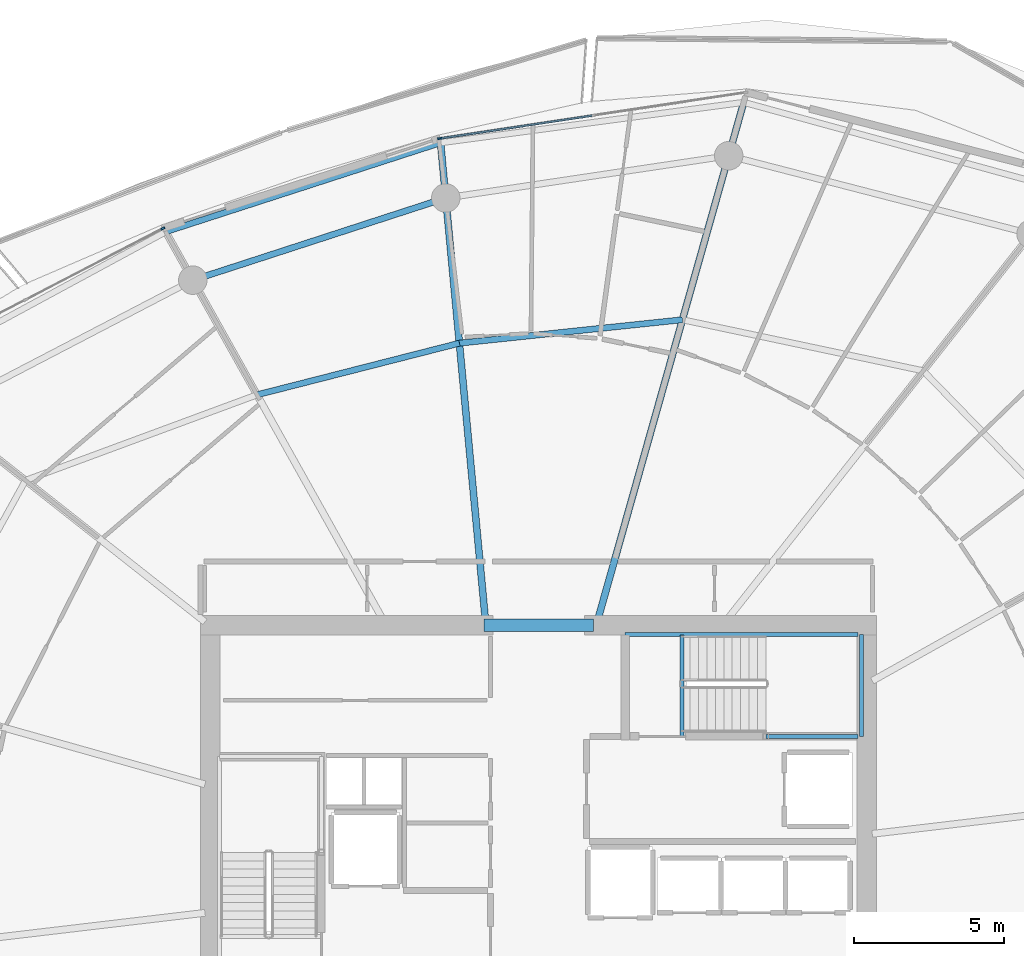
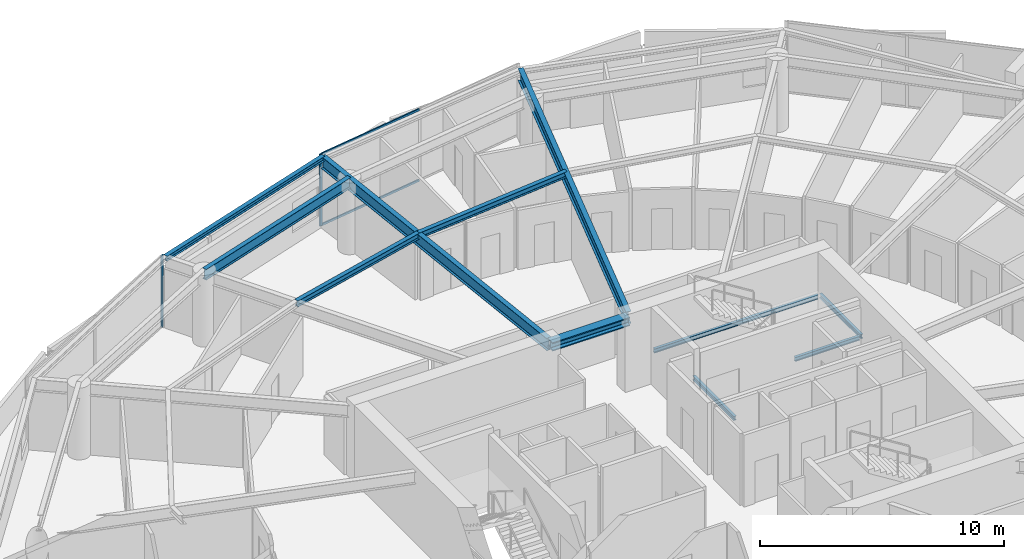
# One storey, part 13 of 31: 11 beams, 4 members, 2 elements without a shape of their own.
"""IFC4 building model written with IfcOpenShell, lengths in metres."""

from ifc_helpers import new_model, si_unit, direction, frame, origin, origin_2d, place, context, subcontext, project, spatial, rectangle, i_section, extrude, material, layer, layer_set, material_profile, profile_set, type_object, element, aggregate, save


model = new_model("IFC4")

# Units and contexts
model_context = context("Model", 3, precision=1e-05, world=origin(), true_north=direction((0.0, 1.0)))
body_context = subcontext(model_context, "Body", "Model", "MODEL_VIEW")
ifc_project = project(units=[si_unit("LENGTHUNIT", "METRE"), si_unit("AREAUNIT", "SQUARE_METRE"), si_unit("VOLUMEUNIT", "CUBIC_METRE"), si_unit("PLANEANGLEUNIT", "RADIAN"), si_unit("MASSUNIT", "GRAM", prefix="KILO")], contexts=[model_context])

# Site, building, storey
site_placement = place(None, origin())
site = spatial("IfcSite", under=ifc_project, at=site_placement, CompositionType="ELEMENT")
building_placement = place(site_placement, origin())
building = spatial("IfcBuilding", under=site, at=building_placement, Name="Kazma Halo Residences", CompositionType="ELEMENT")
storey_placement = place(building_placement, frame((0.0, 0.0, 259.800048828125)))
storey = spatial("IfcBuildingStorey", under=building, at=storey_placement, Name="L65", CompositionType="ELEMENT", Elevation=259.800048828125)

# Beams
ifc_material_1 = material(Name="Steel S355", Category="steel")
ifc_material_profile_1 = material_profile(ifc_material_1, i_section(OverallWidth=0.201904296875, OverallDepth=0.2470703125, WebThickness=0.00732421875, FlangeThickness=0.010986328125, FilletRadius=0.011962890625, at=origin_2d()), Name="W250x49.1")
ifc_profile_set_1 = profile_set([ifc_material_profile_1], Name="Steel S355")
beam_type_1 = type_object("IfcBeamType", Name="BM-BAL-CANT", PredefinedType="BEAM", material=ifc_profile_set_1)
beam_1_placement = place(storey_placement, frame((45.155517578125, 66.41259765625, 3.466552734375), z_axis=(-0.951357597741, -0.308088820344, 0.0), x_axis=(0.308088820344, -0.951357597741, 0.0)))
element("IfcBeam", 1, at=beam_1_placement, inside=storey, type_object=beam_type_1, Name="L65 wave-balcony tie beam 04", PredefinedType="BEAM", context=body_context, shape_type="SweptSolid", body=[
    extrude(i_section(OverallWidth=0.201904296875, OverallDepth=0.2470703125, WebThickness=0.00732421875, FlangeThickness=0.010986328125, FilletRadius=0.011962890625, at=origin_2d()), origin(), (0.0, 0.0, 1.0), 9.633544921875),
])
ifc_material_profile_2 = material_profile(ifc_material_1, i_section(OverallWidth=0.408935546875, OverallDepth=0.425048828125, WebThickness=0.03271484375, FlangeThickness=0.052490234375, FilletRadius=0.02001953125, at=origin_2d()), Name="W360x421")
ifc_profile_set_2 = profile_set([ifc_material_profile_2], Name="Steel S355")
beam_type_2 = type_object("IfcBeamType", Name="BM-CORE-W360H", PredefinedType="BEAM", material=ifc_profile_set_2)
beam_2_placement = place(storey_placement, frame((46.60009765625, 50.324951171875, 3.37744140625), z_axis=(1.0, 0.0, 0.0), x_axis=(0.0, 1.0, 0.0)))
element("IfcBeam", 2, at=beam_2_placement, inside=storey, type_object=beam_type_2, Name="L65 core coupling beam N", PredefinedType="BEAM", context=body_context, shape_type="SweptSolid", body=[
    extrude(i_section(OverallWidth=0.408935546875, OverallDepth=0.425048828125, WebThickness=0.03271484375, FlangeThickness=0.052490234375, FilletRadius=0.02001953125, at=origin_2d()), origin(), (0.0, 0.0, 1.0), 3.64990234375),
])
ifc_material_profile_3 = material_profile(ifc_material_1, i_section(OverallWidth=0.22802734375, OverallDepth=0.60791015625, WebThickness=0.01123046875, FlangeThickness=0.017333984375, FilletRadius=0.01806640625, at=origin_2d()), Name="W610x113")
ifc_profile_set_3 = profile_set([ifc_material_profile_3], Name="Steel S355")
beam_type_3 = type_object("IfcBeamType", Name="BM-RAD-W610", PredefinedType="BEAM", material=ifc_profile_set_3)
beam_3_placement = place(storey_placement, frame((50.397216796875, 50.5, 3.285888671875), z_axis=(0.271445290974, 0.962453871107, 0.0), x_axis=(-0.962453871107, 0.271445290974, 0.0)))
element("IfcBeam", 3, at=beam_3_placement, inside=storey, type_object=beam_type_3, Name="L65 radial floor beam 03", PredefinedType="BEAM", context=body_context, shape_type="SweptSolid", body=[
    extrude(i_section(OverallWidth=0.22802734375, OverallDepth=0.60791015625, WebThickness=0.01123046875, FlangeThickness=0.017333984375, FilletRadius=0.01806640625, at=origin_2d()), origin(), (0.0, 0.0, 1.0), 17.933349609375),
])
beam_4_placement = place(storey_placement, frame((46.64990234375, 50.5, 3.285888671875), z_axis=(-0.093500648044, 0.995619218786, 0.0), x_axis=(-0.995619218786, -0.093500648044, 0.0)))
element("IfcBeam", 4, at=beam_4_placement, inside=storey, type_object=beam_type_3, Name="L65 radial floor beam 04", PredefinedType="BEAM", context=body_context, shape_type="SweptSolid", body=[
    extrude(i_section(OverallWidth=0.22802734375, OverallDepth=0.60791015625, WebThickness=0.01123046875, FlangeThickness=0.017333984375, FilletRadius=0.01806640625, at=origin_2d()), origin(), (0.0, 0.0, 1.0), 15.982666015625),
])
ifc_material_profile_4 = material_profile(ifc_material_1, i_section(OverallWidth=0.202880859375, OverallDepth=0.302978515625, WebThickness=0.007568359375, FlangeThickness=0.01318359375, FilletRadius=0.013916015625, at=origin_2d()), Name="W310x60")
ifc_profile_set_4 = profile_set([ifc_material_profile_4], Name="Steel S355")
beam_type_4 = type_object("IfcBeamType", Name="BM-SEC-W310A", PredefinedType="JOIST", material=ifc_profile_set_4)
beam_5_placement = place(storey_placement, frame((53.220703125, 60.5107421875, 3.4384765625), z_axis=(-0.994528326067, -0.104467261141, 0.0), x_axis=(0.104467261141, -0.994528326067, 0.0)))
element("IfcBeam", 5, at=beam_5_placement, inside=storey, type_object=beam_type_4, Name="L65 circumferential floor joist 03", PredefinedType="JOIST", context=body_context, shape_type="SweptSolid", body=[
    extrude(i_section(OverallWidth=0.202880859375, OverallDepth=0.302978515625, WebThickness=0.007568359375, FlangeThickness=0.01318359375, FilletRadius=0.013916015625, at=origin_2d()), origin(), (0.0, 0.0, 1.0), 7.478515625),
])
beam_6_placement = place(storey_placement, frame((45.783203125, 59.7294921875, 3.4384765625), z_axis=(-0.968957746759, -0.2472263841, 0.0), x_axis=(0.2472263841, -0.968957746759, 0.0)))
element("IfcBeam", 6, at=beam_6_placement, inside=storey, type_object=beam_type_4, Name="L65 circumferential floor joist 04", PredefinedType="JOIST", context=body_context, shape_type="SweptSolid", body=[
    extrude(i_section(OverallWidth=0.202880859375, OverallDepth=0.302978515625, WebThickness=0.007568359375, FlangeThickness=0.01318359375, FilletRadius=0.013916015625, at=origin_2d()), origin(), (0.0, 0.0, 1.0), 6.9638671875),
])
ifc_material_profile_5 = material_profile(ifc_material_1, i_section(OverallWidth=0.208984375, OverallDepth=0.532958984375, WebThickness=0.01025390625, FlangeThickness=0.015625, FilletRadius=0.01611328125, at=origin_2d()), Name="W530x92")
ifc_profile_set_5 = profile_set([ifc_material_profile_5], Name="Steel S355")
beam_type_5 = type_object("IfcBeamType", Name="BM-SPN-W530", PredefinedType="BEAM", material=ifc_profile_set_5)
beam_7_placement = place(storey_placement, frame((45.32861328125, 64.57080078125, 3.323486328125), z_axis=(-0.951053893407, -0.309025066679, 0.0), x_axis=(0.309025066679, -0.951053893407, 0.0)))
element("IfcBeam", 7, at=beam_7_placement, inside=storey, type_object=beam_type_5, Name="L65 perimeter ring beam 04", PredefinedType="BEAM", context=body_context, shape_type="SweptSolid", body=[
    extrude(i_section(OverallWidth=0.208984375, OverallDepth=0.532958984375, WebThickness=0.01025390625, FlangeThickness=0.015625, FilletRadius=0.01611328125, at=origin_2d()), origin(), (0.0, 0.0, 1.0), 8.8681640625),
])
ifc_material_profile_6 = material_profile(ifc_material_1, i_section(OverallWidth=0.133056640625, OverallDepth=0.20703125, WebThickness=0.005859375, FlangeThickness=0.00830078125, FilletRadius=0.010009765625, at=origin_2d()), Name="W200x26.6")
ifc_profile_set_6 = profile_set([ifc_material_profile_6], Name="Steel S355")
beam_type_6 = type_object("IfcBeamType", Name="BM-TRIM-W200", PredefinedType="BEAM", material=ifc_profile_set_6)
beam_8_placement = place(storey_placement, frame((53.199951171875, 46.6201171875, -0.3701171875), z_axis=(0.0, 1.0, 0.0), x_axis=(-1.0, 0.0, 0.0)))
element("IfcBeam", 8, at=beam_8_placement, inside=storey, type_object=beam_type_6, Name="L65 ST-02 floor landing support beam", PredefinedType="BEAM", context=body_context, shape_type="SweptSolid", body=[
    extrude(i_section(OverallWidth=0.133056640625, OverallDepth=0.20703125, WebThickness=0.005859375, FlangeThickness=0.00830078125, FilletRadius=0.010009765625, at=origin_2d()), origin(), (0.0, 0.0, 1.0), 3.3798828125),
])
beam_9_placement = place(storey_placement, frame((51.31005859375, 50.02001953125, 1.619873046875), z_axis=(1.0, 0.0, 0.0), x_axis=(0.0, 1.0, 0.0)))
element("IfcBeam", 9, at=beam_9_placement, inside=storey, type_object=beam_type_6, Name="L65 ST-02 landing north wall ledger", PredefinedType="BEAM", context=body_context, shape_type="SweptSolid", body=[
    extrude(i_section(OverallWidth=0.133056640625, OverallDepth=0.20703125, WebThickness=0.005859375, FlangeThickness=0.00830078125, FilletRadius=0.010009765625, at=origin_2d()), origin(), (0.0, 0.0, 1.0), 7.760009765625),
])
beam_10_placement = place(storey_placement, frame((56.0, 46.6201171875, 1.619873046875), z_axis=(1.0, 0.0, 0.0), x_axis=(0.0, 1.0, 0.0)))
element("IfcBeam", 10, at=beam_10_placement, inside=storey, type_object=beam_type_6, Name="L65 ST-02 landing south wall ledger", PredefinedType="BEAM", context=body_context, shape_type="SweptSolid", body=[
    extrude(i_section(OverallWidth=0.133056640625, OverallDepth=0.20703125, WebThickness=0.005859375, FlangeThickness=0.00830078125, FilletRadius=0.010009765625, at=origin_2d()), origin(), (0.0, 0.0, 1.0), 3.070068359375),
])
beam_11_placement = place(storey_placement, frame((59.18994140625, 46.6201171875, 1.619873046875), z_axis=(0.0, 1.0, 0.0), x_axis=(-1.0, 0.0, 0.0)))
element("IfcBeam", 11, at=beam_11_placement, inside=storey, type_object=beam_type_6, Name="L65 ST-02 landing end wall ledger", PredefinedType="BEAM", context=body_context, shape_type="SweptSolid", body=[
    extrude(i_section(OverallWidth=0.133056640625, OverallDepth=0.20703125, WebThickness=0.005859375, FlangeThickness=0.00830078125, FilletRadius=0.010009765625, at=origin_2d()), origin(), (0.0, 0.0, 1.0), 3.39990234375),
])

# Curtain wall, member
ifc_material_2 = material(Name="Aluminium AW-6063 T6 and Triple-Silver Low-E Glass", Category="aluminium")
ifc_layer = layer(ifc_material_2, 0.139892578125)
ifc_layer_set = layer_set([ifc_layer], Name="Aluminium AW-6063 T6 and Triple-Silver Low-E Glass")
curtain_wall_type = type_object("IfcCurtainWallType", Name="CW-SYS-5", PredefinedType="NOTDEFINED", material=ifc_layer_set)
curtain_wall_1_placement = place(storey_placement, origin())
curtain_wall_1 = element("IfcCurtainWall", 12, at=curtain_wall_1_placement, inside=storey, type_object=curtain_wall_type, Name="L65 unitised curtain wall B03", PredefinedType="NOTDEFINED")
ifc_material_3 = material(Name="Aluminium AW-6063 T6", Category="aluminium")
ifc_material_profile_7 = material_profile(ifc_material_3, rectangle(XDim=0.06005859375, YDim=0.139892578125, at=origin_2d()), Name="CWM-60x140")
ifc_profile_set_7 = profile_set([ifc_material_profile_7], Name="Aluminium AW-6063 T6")
member_type_1 = type_object("IfcMemberType", Name="CW-SYS-5-MUL", PredefinedType="MULLION", material=ifc_profile_set_7)
member_1_placement = place(storey_placement, frame((45.124267578125, 66.552734375, 0.0), z_axis=(0.0, 0.0, 1.0), x_axis=(0.148697080374, -0.988882792998, 0.0)))
member_1 = element("IfcMember", 13, at=member_1_placement, type_object=member_type_1, Name="CWS-5 mullion 3", PredefinedType="MULLION", context=body_context, shape_type="SweptSolid", body=[
    extrude(rectangle(XDim=0.06005859375, YDim=0.139892578125, at=origin_2d()), origin(), (0.0, 0.0, 1.0), 3.58984375),
])

curtain_wall_2_placement = place(storey_placement, origin())
curtain_wall_2 = element("IfcCurtainWall", 14, at=curtain_wall_2_placement, inside=storey, type_object=curtain_wall_type, Name="L65 unitised curtain wall B05", PredefinedType="NOTDEFINED")
member_2_placement = place(storey_placement, frame((35.894775390625, 63.553955078125, 0.0), z_axis=(0.0, 0.0, 1.0), x_axis=(0.460960760804, -0.887420518694, 0.0)))
member_2 = element("IfcMember", 15, at=member_2_placement, type_object=member_type_1, Name="CWS-5 mullion 1", PredefinedType="MULLION", context=body_context, shape_type="SweptSolid", body=[
    extrude(rectangle(XDim=0.06005859375, YDim=0.139892578125, at=origin_2d()), origin(), (0.0, 0.0, 1.0), 3.58984375),
])
aggregate(curtain_wall_2, [member_2])

# Member
ifc_material_profile_8 = material_profile(ifc_material_3, rectangle(XDim=0.06005859375, YDim=0.10498046875, at=origin_2d()), Name="CWT-60x105")
ifc_profile_set_8 = profile_set([ifc_material_profile_8], Name="Aluminium AW-6063 T6")
member_type_2 = type_object("IfcMemberType", Name="CW-SYS-5-TRN", PredefinedType="USERDEFINED", material=ifc_profile_set_8)
member_3_placement = place(storey_placement, frame((50.19677734375, 67.3154296875, 0.030029296875), z_axis=(-0.988882913569, -0.148696278541, 0.0), x_axis=(0.148696278541, -0.988882913569, 0.0)))
member_3 = element("IfcMember", 16, at=member_3_placement, type_object=member_type_2, Name="CWS-5 transom 2.1", ObjectType="TRANSOM", PredefinedType="USERDEFINED", context=body_context, shape_type="SweptSolid", body=[
    extrude(rectangle(XDim=0.06005859375, YDim=0.10498046875, at=origin_2d()), origin(), (0.0, 0.0, 1.0), 5.099609375),
])

member_4_placement = place(storey_placement, frame((50.19677734375, 67.3154296875, 3.56005859375), z_axis=(-0.988882913569, -0.148696278541, 0.0), x_axis=(0.148696278541, -0.988882913569, 0.0)))
member_4 = element("IfcMember", 17, at=member_4_placement, type_object=member_type_2, Name="CWS-5 transom 2.2", ObjectType="TRANSOM", PredefinedType="USERDEFINED", context=body_context, shape_type="SweptSolid", body=[
    extrude(rectangle(XDim=0.06005859375, YDim=0.10498046875, at=origin_2d()), origin(), (0.0, 0.0, 1.0), 5.099609375),
])

aggregate(curtain_wall_1, [member_1, member_3, member_4])

save(model, "model.ifc")
